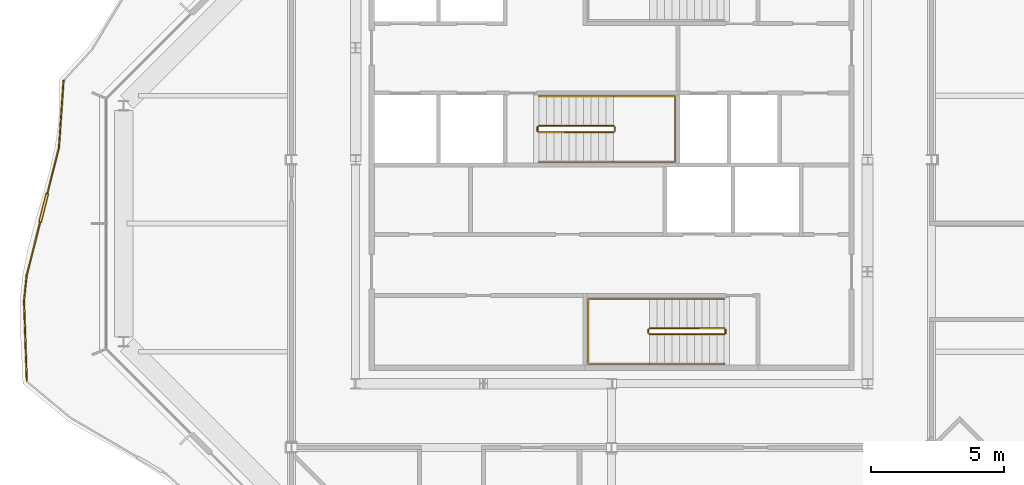
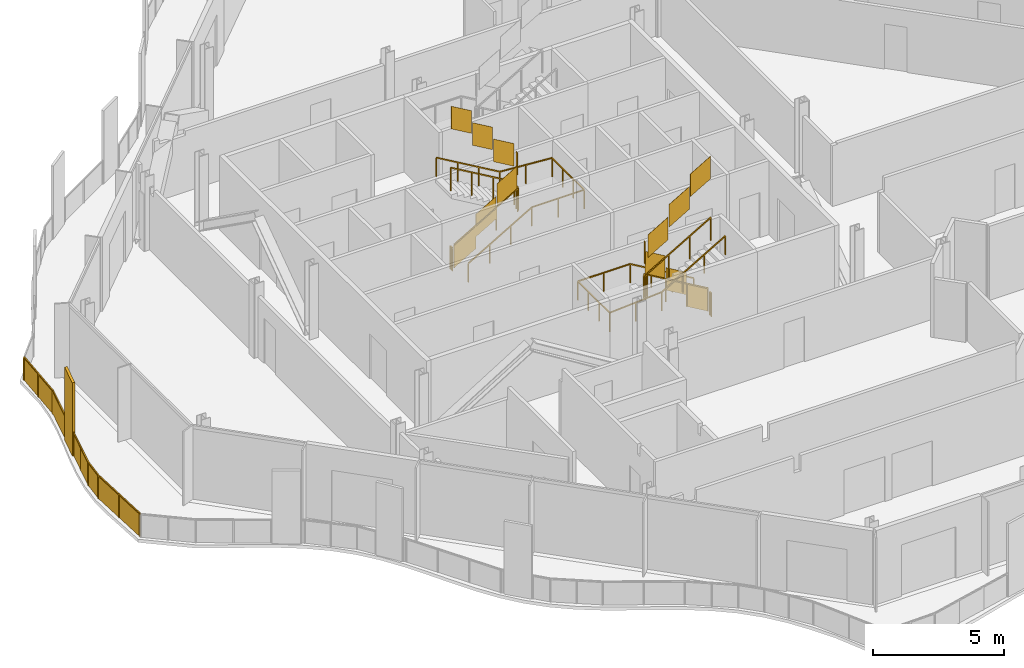
# One storey, part 13 of 16: 7 railings.
"""IFC4 building model written with IfcOpenShell, lengths in metres."""

from ifc_helpers import new_model, si_unit, direction, frame, origin, origin_2d, place, context, subcontext, project, spatial, polyline, rectangle, outline, extrude, material, type_object, element, save


model = new_model("IFC4")

# Units and contexts
model_context = context("Model", 3, precision=1e-05, world=origin(), true_north=direction((0.0, 1.0)))
body_context = subcontext(model_context, "Body", "Model", "MODEL_VIEW")
ifc_project = project(units=[si_unit("LENGTHUNIT", "METRE"), si_unit("AREAUNIT", "SQUARE_METRE"), si_unit("VOLUMEUNIT", "CUBIC_METRE"), si_unit("PLANEANGLEUNIT", "RADIAN"), si_unit("MASSUNIT", "GRAM", prefix="KILO")], contexts=[model_context])

# Site, building, storey
site_placement = place(None, origin())
site = spatial("IfcSite", under=ifc_project, at=site_placement, CompositionType="ELEMENT")
building_placement = place(site_placement, origin())
building = spatial("IfcBuilding", under=site, at=building_placement, Name="Cairn Pilgrim Tower", CompositionType="ELEMENT")
storey_placement = place(building_placement, frame((0.0, 0.0, 288.60009765625)))
storey = spatial("IfcBuildingStorey", under=building, at=storey_placement, Name="L74", CompositionType="ELEMENT", Elevation=288.60009765625)

# Railings
ifc_material_1 = material(Name="Bronze anodised aluminium rail, posts and fin screens with laminated glass infill", Category="aluminium")
railing_type_1 = type_object("IfcRailingType", Name="BALCONY GUARD WITH FIN SCREENS", PredefinedType="GUARDRAIL", material=ifc_material_1)
railing_1_placement = place(storey_placement, frame((-13.35498046875, 5.359375, 0.0)))
element("IfcRailing", 1, at=railing_1_placement, inside=storey, type_object=railing_type_1, Name="Balcony guard BGF-7 with fin screens", PredefinedType="GUARDRAIL", context=body_context, shape_type="SweptSolid", body=[
    extrude(rectangle(XDim=0.050048828125, YDim=0.050048828125, at=origin_2d()), frame((0.0, 0.0, 1.0751953125), z_axis=(-0.068508192538, -0.997650553829, 0.0), x_axis=(0.997650553829, -0.068508192538, 0.0)), (0.0, 0.0, 1.0), 2.5087890625),
    extrude(rectangle(XDim=1.10009765625, YDim=0.110107421875, at=origin_2d()), frame((-0.742919921875, -4.76708984375, 0.0), z_axis=(0.0, 0.0, 1.0), x_axis=(-0.244529925851, -0.969641745885, 0.0)), (0.0, 0.0, 1.0), 3.39990234375),
    extrude(rectangle(XDim=0.050048828125, YDim=0.050048828125, at=origin_2d()), frame((-0.171875, -2.5029296875, 1.0751953125), z_axis=(-0.244529925851, -0.969641745885, 0.0), x_axis=(0.969641745885, -0.244529925851, 0.0)), (0.0, 0.0, 1.0), 1.78515625),
    extrude(rectangle(XDim=0.050048828125, YDim=0.050048828125, at=origin_2d()), frame((-0.87744140625, -5.300537109375, 1.0751953125), z_axis=(-0.244529925851, -0.969641745885, 0.0), x_axis=(0.969641745885, -0.244529925851, 0.0)), (0.0, 0.0, 1.0), 2.068115234375),
    extrude(rectangle(XDim=0.050048828125, YDim=0.050048828125, at=origin_2d()), frame((-1.383056640625, -7.3056640625, 1.0751953125), z_axis=(-0.105236613319, -0.994447210875, 0.0), x_axis=(0.994447210875, -0.105236613319, 0.0)), (0.0, 0.0, 1.0), 0.944091796875),
    extrude(rectangle(XDim=0.050048828125, YDim=0.050048828125, at=origin_2d()), frame((-1.482421875, -8.24462890625, 1.0751953125), z_axis=(0.034442504799, -0.999406680918, 0.0), x_axis=(0.999406680918, 0.034442504799, 0.0)), (0.0, 0.0, 1.0), 2.97705078125),
    extrude(rectangle(XDim=0.050048828125, YDim=0.050048828125, at=origin_2d()), origin(), (0.0, 0.0, 1.0), 1.050048828125),
    extrude(rectangle(XDim=0.050048828125, YDim=0.050048828125, at=origin_2d()), frame((-0.0859375, -1.25146484375, 0.0)), (0.0, 0.0, 1.0), 1.050048828125),
    extrude(rectangle(XDim=0.050048828125, YDim=0.050048828125, at=origin_2d()), frame((-0.171875, -2.5029296875, 0.0)), (0.0, 0.0, 1.0), 1.050048828125),
    extrude(rectangle(XDim=0.050048828125, YDim=0.050048828125, at=origin_2d()), frame((-0.602294921875, -4.20947265625, 0.0)), (0.0, 0.0, 1.0), 1.050048828125),
    extrude(rectangle(XDim=0.050048828125, YDim=0.050048828125, at=origin_2d()), frame((-0.883544921875, -5.32470703125, 0.0)), (0.0, 0.0, 1.0), 1.050048828125),
    extrude(rectangle(XDim=0.050048828125, YDim=0.050048828125, at=origin_2d()), frame((-1.13330078125, -6.315185546875, 0.0)), (0.0, 0.0, 1.0), 1.050048828125),
    extrude(rectangle(XDim=0.050048828125, YDim=0.050048828125, at=origin_2d()), frame((-1.383056640625, -7.3056640625, 0.0)), (0.0, 0.0, 1.0), 1.050048828125),
    extrude(rectangle(XDim=0.050048828125, YDim=0.050048828125, at=origin_2d()), frame((-1.482421875, -8.24462890625, 0.0)), (0.0, 0.0, 1.0), 1.050048828125),
    extrude(rectangle(XDim=0.050048828125, YDim=0.050048828125, at=origin_2d()), frame((-1.43115234375, -9.732421875, 0.0)), (0.0, 0.0, 1.0), 1.050048828125),
    extrude(rectangle(XDim=0.050048828125, YDim=0.050048828125, at=origin_2d()), frame((-1.3798828125, -11.219970703125, 0.0)), (0.0, 0.0, 1.0), 1.050048828125),
    extrude(outline(polyline([(0.02490234375, 0.0), (1.2294921875, 0.0), (1.2294921875, 1.050048828125), (0.02490234375, 1.050048828125), (0.02490234375, 0.0)])), frame((0.005859375, -0.00048828125, 0.0), z_axis=(-0.997650553829, 0.068508192538, 0.0), x_axis=(-0.068508192538, -0.997650553829, 0.0)), (0.0, 0.0, 1.0), 0.011962890625),
    extrude(outline(polyline([(0.02490234375, 0.0), (1.2294921875, 0.0), (1.2294921875, 1.050048828125), (0.02490234375, 1.050048828125), (0.02490234375, 0.0)])), frame((-0.080078125, -1.251953125, 0.0), z_axis=(-0.997650553829, 0.068508192538, 0.0), x_axis=(-0.068508192538, -0.997650553829, 0.0)), (0.0, 0.0, 1.0), 0.011962890625),
    extrude(outline(polyline([(0.02490234375, 0.0), (1.735107421875, 0.0), (1.735107421875, 1.050048828125), (0.02490234375, 1.050048828125), (0.02490234375, 0.0)])), frame((-0.166015625, -2.50439453125, 0.0), z_axis=(-0.969641745885, 0.244529925851, 0.0), x_axis=(-0.244529925851, -0.969641745885, 0.0)), (0.0, 0.0, 1.0), 0.011962890625),
    extrude(outline(polyline([(0.02490234375, 0.0), (0.99658203125, 0.0), (0.99658203125, 1.050048828125), (0.02490234375, 1.050048828125), (0.02490234375, 0.0)])), frame((-0.877685546875, -5.326171875, 0.0), z_axis=(-0.969641745885, 0.244529925851, 0.0), x_axis=(-0.244529925851, -0.969641745885, 0.0)), (0.0, 0.0, 1.0), 0.011962890625),
    extrude(outline(polyline([(0.02490234375, 0.0), (0.99658203125, 0.0), (0.99658203125, 1.050048828125), (0.02490234375, 1.050048828125), (0.02490234375, 0.0)])), frame((-1.12744140625, -6.316650390625, 0.0), z_axis=(-0.969641745885, 0.244529925851, 0.0), x_axis=(-0.244529925851, -0.969641745885, 0.0)), (0.0, 0.0, 1.0), 0.011962890625),
    extrude(outline(polyline([(0.02490234375, 0.0), (0.919189453125, 0.0), (0.919189453125, 1.050048828125), (0.02490234375, 1.050048828125), (0.02490234375, 0.0)])), frame((-1.377197265625, -7.306396484375, 0.0), z_axis=(-0.994447210875, 0.105236613319, 0.0), x_axis=(-0.105236613319, -0.994447210875, 0.0)), (0.0, 0.0, 1.0), 0.011962890625),
    extrude(outline(polyline([(0.02490234375, 0.0), (1.463623046875, 0.0), (1.463623046875, 1.050048828125), (0.02490234375, 1.050048828125), (0.02490234375, 0.0)])), frame((-1.4765625, -8.244384765625, 0.0), z_axis=(-0.999406680918, -0.034442504799, 0.0), x_axis=(0.034442504799, -0.999406680918, 0.0)), (0.0, 0.0, 1.0), 0.011962890625),
    extrude(outline(polyline([(0.02490234375, 0.0), (1.463623046875, 0.0), (1.463623046875, 1.050048828125), (0.02490234375, 1.050048828125), (0.02490234375, 0.0)])), frame((-1.42529296875, -9.732177734375, 0.0), z_axis=(-0.999406680918, -0.034442504799, 0.0), x_axis=(0.034442504799, -0.999406680918, 0.0)), (0.0, 0.0, 1.0), 0.011962890625),
])
ifc_material_2 = material(Name="Painted steel", Category="steel")
railing_type_2 = type_object("IfcRailingType", Name="STAIR GUARD 1100", PredefinedType="GUARDRAIL", material=ifc_material_2)
railing_2_placement = place(storey_placement, frame((11.425048828125, -3.925048828125, 0.16357421875)))
element("IfcRailing", 2, at=railing_2_placement, inside=storey, type_object=railing_type_2, Name="L74 ST-A stair guard 1", PredefinedType="GUARDRAIL", context=body_context, shape_type="SweptSolid", body=[
    extrude(rectangle(XDim=0.048095703125, YDim=0.048095703125, at=origin_2d()), frame((0.0, 0.0, 1.076171875), z_axis=(-0.863393664356, 0.0, 0.504530851732), x_axis=(0.0, -1.0, 0.0)), (0.0, 0.0, 1.0), 3.2431640625),
    extrude(rectangle(XDim=0.048095703125, YDim=0.048095703125, at=origin_2d()), frame((-2.800048828125, 0.0, 2.71240234375), z_axis=(-0.707106781187, -0.707106781187, 0.0), x_axis=(0.707106781187, -0.707106781187, 0.0)), (0.0, 0.0, 1.0), 0.07080078125),
    extrude(rectangle(XDim=0.048095703125, YDim=0.048095703125, at=origin_2d()), frame((-2.85009765625, -0.050048828125, 2.71240234375), z_axis=(0.0, -1.0, 0.0), x_axis=(1.0, 0.0, 0.0)), (0.0, 0.0, 1.0), 0.125),
    extrude(rectangle(XDim=0.048095703125, YDim=0.048095703125, at=origin_2d()), frame((-2.85009765625, -0.175048828125, 2.71240234375), z_axis=(0.280563532951, -0.279194930351, 0.91833234444), x_axis=(0.705375805398, 0.708833529934, 0.0)), (0.0, 0.0, 1.0), 0.178466796875),
    extrude(rectangle(XDim=0.048095703125, YDim=0.048095703125, at=origin_2d()), frame((-2.800048828125, -0.224853515625, 2.8759765625), z_axis=(0.863393664356, 0.0, 0.504530851732), x_axis=(0.0, 1.0, 0.0)), (0.0, 0.0, 1.0), 3.2431640625),
    extrude(rectangle(XDim=0.0419921875, YDim=0.0419921875, at=origin_2d()), origin(), (0.0, 0.0, 1.0), 1.052001953125),
    extrude(rectangle(XDim=0.0419921875, YDim=0.0419921875, at=origin_2d()), frame((-0.933349609375, 0.0, 0.54541015625)), (0.0, 0.0, 1.0), 1.052001953125),
    extrude(rectangle(XDim=0.0419921875, YDim=0.0419921875, at=origin_2d()), frame((-1.86669921875, 0.0, 1.0908203125)), (0.0, 0.0, 1.0), 1.052001953125),
    extrude(rectangle(XDim=0.0419921875, YDim=0.0419921875, at=origin_2d()), frame((-2.800048828125, 0.0, 1.63623046875)), (0.0, 0.0, 1.0), 1.052001953125),
    extrude(rectangle(XDim=0.0419921875, YDim=0.0419921875, at=origin_2d()), frame((-2.85009765625, -0.050048828125, 1.63623046875)), (0.0, 0.0, 1.0), 1.052001953125),
    extrude(rectangle(XDim=0.0419921875, YDim=0.0419921875, at=origin_2d()), frame((-2.85009765625, -0.175048828125, 1.63623046875)), (0.0, 0.0, 1.0), 1.052001953125),
    extrude(rectangle(XDim=0.0419921875, YDim=0.0419921875, at=origin_2d()), frame((-2.800048828125, -0.224853515625, 1.800048828125)), (0.0, 0.0, 1.0), 1.052001953125),
    extrude(rectangle(XDim=0.0419921875, YDim=0.0419921875, at=origin_2d()), frame((-1.86669921875, -0.224853515625, 2.345458984375)), (0.0, 0.0, 1.0), 1.052001953125),
    extrude(rectangle(XDim=0.0419921875, YDim=0.0419921875, at=origin_2d()), frame((-0.933349609375, -0.224853515625, 2.890869140625)), (0.0, 0.0, 1.0), 1.052001953125),
    extrude(rectangle(XDim=0.0419921875, YDim=0.0419921875, at=origin_2d()), frame((0.0, -0.224853515625, 3.436279296875)), (0.0, 0.0, 1.0), 1.052001953125),
    extrude(outline(polyline([(0.02099609375, 0.01220703125), (0.912353515625, 0.533203125), (0.912353515625, 1.585205078125), (0.02099609375, 1.064208984375), (0.02099609375, 0.01220703125)])), frame((0.0, -0.005859375, 0.0), z_axis=(0.0, 1.0, 0.0), x_axis=(-1.0, 0.0, 0.0)), (0.0, 0.0, 1.0), 0.011962890625),
    extrude(outline(polyline([(0.02099609375, 0.5576171875), (0.912353515625, 1.07861328125), (0.912353515625, 2.130615234375), (0.02099609375, 1.609619140625), (0.02099609375, 0.5576171875)])), frame((-0.933349609375, -0.005859375, 0.54541015625), z_axis=(0.0, 1.0, 0.0), x_axis=(-1.0, 0.0, 0.0)), (0.0, 0.0, 1.0), 0.011962890625),
    extrude(outline(polyline([(0.02099609375, 1.10302734375), (0.912353515625, 1.6240234375), (0.912353515625, 2.676025390625), (0.02099609375, 2.155029296875), (0.02099609375, 1.10302734375)])), frame((-1.86669921875, -0.005859375, 1.0908203125), z_axis=(0.0, 1.0, 0.0), x_axis=(-1.0, 0.0, 0.0)), (0.0, 0.0, 1.0), 0.011962890625),
    extrude(outline(polyline([(0.02099609375, 1.63623046875), (0.10400390625, 1.63623046875), (0.10400390625, 2.688232421875), (0.02099609375, 2.688232421875), (0.02099609375, 1.63623046875)])), frame((-2.84423828125, -0.050048828125, 1.63623046875), z_axis=(-1.0, 0.0, 0.0), x_axis=(0.0, -1.0, 0.0)), (0.0, 0.0, 1.0), 0.011962890625),
    extrude(outline(polyline([(0.02099609375, 1.812255859375), (0.912353515625, 2.333251953125), (0.912353515625, 3.38525390625), (0.02099609375, 2.8642578125), (0.02099609375, 1.812255859375)])), frame((-2.800048828125, -0.21875, 1.800048828125), z_axis=(0.0, -1.0, 0.0), x_axis=(1.0, 0.0, 0.0)), (0.0, 0.0, 1.0), 0.011962890625),
    extrude(outline(polyline([(0.02099609375, 2.357666015625), (0.912353515625, 2.878662109375), (0.912353515625, 3.9306640625), (0.02099609375, 3.40966796875), (0.02099609375, 2.357666015625)])), frame((-1.86669921875, -0.21875, 2.345458984375), z_axis=(0.0, -1.0, 0.0), x_axis=(1.0, 0.0, 0.0)), (0.0, 0.0, 1.0), 0.011962890625),
    extrude(outline(polyline([(0.02099609375, 2.903076171875), (0.912353515625, 3.424072265625), (0.912353515625, 4.47607421875), (0.02099609375, 3.955078125), (0.02099609375, 2.903076171875)])), frame((-0.933349609375, -0.21875, 2.890869140625), z_axis=(0.0, -1.0, 0.0), x_axis=(1.0, 0.0, 0.0)), (0.0, 0.0, 1.0), 0.011962890625),
])
railing_3_placement = place(storey_placement, frame((11.47509765625, -3.97509765625, 0.0)))
element("IfcRailing", 3, at=railing_3_placement, inside=storey, type_object=railing_type_2, Name="L74 ST-A stair guard 2", PredefinedType="GUARDRAIL", context=body_context, shape_type="SweptSolid", body=[
    extrude(rectangle(XDim=0.048095703125, YDim=0.048095703125, at=origin_2d()), frame((0.0, 0.0, 1.076171875), z_axis=(0.0, -1.0, 0.0), x_axis=(1.0, 0.0, 0.0)), (0.0, 0.0, 1.0), 0.125),
    extrude(rectangle(XDim=0.0419921875, YDim=0.0419921875, at=origin_2d()), origin(), (0.0, 0.0, 1.0), 1.052001953125),
    extrude(rectangle(XDim=0.0419921875, YDim=0.0419921875, at=origin_2d()), frame((0.0, -0.125, 0.0)), (0.0, 0.0, 1.0), 1.052001953125),
    extrude(outline(polyline([(0.02099609375, 0.0), (0.10400390625, 0.0), (0.10400390625, 1.052001953125), (0.02099609375, 1.052001953125), (0.02099609375, 0.0)])), frame((0.005859375, 0.0, 0.0), z_axis=(-1.0, 0.0, 0.0), x_axis=(0.0, -1.0, 0.0)), (0.0, 0.0, 1.0), 0.011962890625),
])
railing_4_placement = place(storey_placement, frame((4.47509765625, 3.425048828125, 0.16357421875)))
element("IfcRailing", 4, at=railing_4_placement, inside=storey, type_object=railing_type_2, Name="L74 ST-B stair guard 1", PredefinedType="GUARDRAIL", context=body_context, shape_type="SweptSolid", body=[
    extrude(rectangle(XDim=0.048095703125, YDim=0.048095703125, at=origin_2d()), frame((0.0, 0.0, 1.076171875), z_axis=(0.863374499697, 0.0, 0.504563646405), x_axis=(0.0, 1.0, 0.0)), (0.0, 0.0, 1.0), 3.242919921875),
    extrude(rectangle(XDim=0.048095703125, YDim=0.048095703125, at=origin_2d()), frame((2.7998046875, 0.0, 2.71240234375), z_axis=(0.707106781187, 0.707106781187, 0.0), x_axis=(-0.707106781187, 0.707106781187, 0.0)), (0.0, 0.0, 1.0), 0.07080078125),
    extrude(rectangle(XDim=0.048095703125, YDim=0.048095703125, at=origin_2d()), frame((2.849853515625, 0.050048828125, 2.71240234375), z_axis=(0.0, 1.0, 0.0), x_axis=(-1.0, 0.0, 0.0)), (0.0, 0.0, 1.0), 0.14990234375),
    extrude(rectangle(XDim=0.048095703125, YDim=0.048095703125, at=origin_2d()), frame((2.849853515625, 0.199951171875, 2.71240234375), z_axis=(-0.280456126637, 0.280456126637, 0.917980785237), x_axis=(-0.707106781187, -0.707106781187, 0.0)), (0.0, 0.0, 1.0), 0.178466796875),
    extrude(rectangle(XDim=0.048095703125, YDim=0.048095703125, at=origin_2d()), frame((2.7998046875, 0.25, 2.8759765625), z_axis=(-0.863374499697, 0.0, 0.504563646405), x_axis=(0.0, -1.0, 0.0)), (0.0, 0.0, 1.0), 3.242919921875),
    extrude(rectangle(XDim=0.0419921875, YDim=0.0419921875, at=origin_2d()), origin(), (0.0, 0.0, 1.0), 1.052001953125),
    extrude(rectangle(XDim=0.0419921875, YDim=0.0419921875, at=origin_2d()), frame((0.933349609375, 0.0, 0.54541015625)), (0.0, 0.0, 1.0), 1.052001953125),
    extrude(rectangle(XDim=0.0419921875, YDim=0.0419921875, at=origin_2d()), frame((1.866455078125, 0.0, 1.0908203125)), (0.0, 0.0, 1.0), 1.052001953125),
    extrude(rectangle(XDim=0.0419921875, YDim=0.0419921875, at=origin_2d()), frame((2.7998046875, 0.0, 1.63623046875)), (0.0, 0.0, 1.0), 1.052001953125),
    extrude(rectangle(XDim=0.0419921875, YDim=0.0419921875, at=origin_2d()), frame((2.849853515625, 0.050048828125, 1.63623046875)), (0.0, 0.0, 1.0), 1.052001953125),
    extrude(rectangle(XDim=0.0419921875, YDim=0.0419921875, at=origin_2d()), frame((2.849853515625, 0.199951171875, 1.63623046875)), (0.0, 0.0, 1.0), 1.052001953125),
    extrude(rectangle(XDim=0.0419921875, YDim=0.0419921875, at=origin_2d()), frame((2.7998046875, 0.25, 1.800048828125)), (0.0, 0.0, 1.0), 1.052001953125),
    extrude(rectangle(XDim=0.0419921875, YDim=0.0419921875, at=origin_2d()), frame((1.866455078125, 0.25, 2.345458984375)), (0.0, 0.0, 1.0), 1.052001953125),
    extrude(rectangle(XDim=0.0419921875, YDim=0.0419921875, at=origin_2d()), frame((0.933349609375, 0.25, 2.890869140625)), (0.0, 0.0, 1.0), 1.052001953125),
    extrude(rectangle(XDim=0.0419921875, YDim=0.0419921875, at=origin_2d()), frame((0.0, 0.25, 3.436279296875)), (0.0, 0.0, 1.0), 1.052001953125),
    extrude(outline(polyline([(0.02099609375, 0.01220703125), (0.912353515625, 0.533203125), (0.912353515625, 1.585205078125), (0.02099609375, 1.064208984375), (0.02099609375, 0.01220703125)])), frame((0.0, 0.005859375, 0.0), z_axis=(0.0, -1.0, 0.0), x_axis=(1.0, 0.0, 0.0)), (0.0, 0.0, 1.0), 0.011962890625),
    extrude(outline(polyline([(0.02099609375, 0.5576171875), (0.912353515625, 1.07861328125), (0.912353515625, 2.130615234375), (0.02099609375, 1.609619140625), (0.02099609375, 0.5576171875)])), frame((0.933349609375, 0.005859375, 0.54541015625), z_axis=(0.0, -1.0, 0.0), x_axis=(1.0, 0.0, 0.0)), (0.0, 0.0, 1.0), 0.011962890625),
    extrude(outline(polyline([(0.02099609375, 1.10302734375), (0.912353515625, 1.6240234375), (0.912353515625, 2.676025390625), (0.02099609375, 2.155029296875), (0.02099609375, 1.10302734375)])), frame((1.866455078125, 0.005859375, 1.0908203125), z_axis=(0.0, -1.0, 0.0), x_axis=(1.0, 0.0, 0.0)), (0.0, 0.0, 1.0), 0.011962890625),
    extrude(outline(polyline([(0.02099609375, 1.63623046875), (0.12890625, 1.63623046875), (0.12890625, 2.688232421875), (0.02099609375, 2.688232421875), (0.02099609375, 1.63623046875)])), frame((2.84375, 0.050048828125, 1.63623046875), z_axis=(1.0, 0.0, 0.0), x_axis=(0.0, 1.0, 0.0)), (0.0, 0.0, 1.0), 0.011962890625),
    extrude(outline(polyline([(0.02099609375, 1.812255859375), (0.912353515625, 2.333251953125), (0.912353515625, 3.38525390625), (0.02099609375, 2.8642578125), (0.02099609375, 1.812255859375)])), frame((2.7998046875, 0.244140625, 1.800048828125), z_axis=(0.0, 1.0, 0.0), x_axis=(-1.0, 0.0, 0.0)), (0.0, 0.0, 1.0), 0.011962890625),
    extrude(outline(polyline([(0.02099609375, 2.357666015625), (0.912353515625, 2.878662109375), (0.912353515625, 3.9306640625), (0.02099609375, 3.40966796875), (0.02099609375, 2.357666015625)])), frame((1.866455078125, 0.244140625, 2.345458984375), z_axis=(0.0, 1.0, 0.0), x_axis=(-1.0, 0.0, 0.0)), (0.0, 0.0, 1.0), 0.011962890625),
    extrude(outline(polyline([(0.02099609375, 2.903076171875), (0.912353515625, 3.424072265625), (0.912353515625, 4.47607421875), (0.02099609375, 3.955078125), (0.02099609375, 2.903076171875)])), frame((0.933349609375, 0.244140625, 2.890869140625), z_axis=(0.0, 1.0, 0.0), x_axis=(-1.0, 0.0, 0.0)), (0.0, 0.0, 1.0), 0.011962890625),
])
railing_5_placement = place(storey_placement, frame((4.425048828125, 3.47509765625, 0.0)))
element("IfcRailing", 5, at=railing_5_placement, inside=storey, type_object=railing_type_2, Name="L74 ST-B stair guard 2", PredefinedType="GUARDRAIL", context=body_context, shape_type="SweptSolid", body=[
    extrude(rectangle(XDim=0.048095703125, YDim=0.048095703125, at=origin_2d()), frame((0.0, 0.0, 1.076171875), z_axis=(0.0, 1.0, 0.0), x_axis=(-1.0, 0.0, 0.0)), (0.0, 0.0, 1.0), 0.14990234375),
    extrude(rectangle(XDim=0.0419921875, YDim=0.0419921875, at=origin_2d()), origin(), (0.0, 0.0, 1.0), 1.052001953125),
    extrude(rectangle(XDim=0.0419921875, YDim=0.0419921875, at=origin_2d()), frame((0.0, 0.14990234375, 0.0)), (0.0, 0.0, 1.0), 1.052001953125),
    extrude(outline(polyline([(0.02099609375, 0.0), (0.12890625, 0.0), (0.12890625, 1.052001953125), (0.02099609375, 1.052001953125), (0.02099609375, 0.0)])), frame((-0.005859375, 0.0, 0.0), z_axis=(1.0, 0.0, 0.0), x_axis=(0.0, 1.0, 0.0)), (0.0, 0.0, 1.0), 0.011962890625),
])
railing_type_3 = type_object("IfcRailingType", Name="STAIR HANDRAIL 900", PredefinedType="HANDRAIL", material=ifc_material_2)
railing_6_placement = place(storey_placement, frame((11.425048828125, -2.824951171875, 0.16357421875)))
element("IfcRailing", 6, at=railing_6_placement, inside=storey, type_object=railing_type_3, Name="L74 ST-A stair handrail 1", PredefinedType="HANDRAIL", context=body_context, shape_type="SweptSolid", body=[
    extrude(rectangle(XDim=0.048095703125, YDim=0.048095703125, at=origin_2d()), frame((0.0, 0.0, 0.8759765625), z_axis=(-0.863393664356, 0.0, 0.504530851732), x_axis=(0.0, -1.0, 0.0)), (0.0, 0.0, 1.0), 3.2431640625),
    extrude(rectangle(XDim=0.048095703125, YDim=0.048095703125, at=origin_2d()), frame((-2.800048828125, 0.0, 2.51220703125), z_axis=(-1.0, 0.0, 0.0), x_axis=(0.0, -1.0, 0.0)), (0.0, 0.0, 1.0), 2.300048828125),
    extrude(rectangle(XDim=0.048095703125, YDim=0.048095703125, at=origin_2d()), frame((-5.10009765625, 0.0, 2.51220703125), z_axis=(0.0, -1.0, 0.0), x_axis=(1.0, 0.0, 0.0)), (0.0, 0.0, 1.0), 2.425048828125),
    extrude(rectangle(XDim=0.048095703125, YDim=0.048095703125, at=origin_2d()), frame((-5.10009765625, -2.425048828125, 2.51220703125), z_axis=(0.99747319029, 0.0, 0.071043892441), x_axis=(0.0, 1.0, 0.0)), (0.0, 0.0, 1.0), 2.305908203125),
    extrude(rectangle(XDim=0.048095703125, YDim=0.048095703125, at=origin_2d()), frame((-2.800048828125, -2.425048828125, 2.67578125), z_axis=(0.863393664356, 0.0, 0.504530851732), x_axis=(0.0, 1.0, 0.0)), (0.0, 0.0, 1.0), 3.2431640625),
    extrude(rectangle(XDim=0.0419921875, YDim=0.0419921875, at=origin_2d()), origin(), (0.0, 0.0, 1.0), 0.851806640625),
    extrude(rectangle(XDim=0.0419921875, YDim=0.0419921875, at=origin_2d()), frame((-0.933349609375, 0.0, 0.54541015625)), (0.0, 0.0, 1.0), 0.851806640625),
    extrude(rectangle(XDim=0.0419921875, YDim=0.0419921875, at=origin_2d()), frame((-1.86669921875, 0.0, 1.0908203125)), (0.0, 0.0, 1.0), 0.851806640625),
    extrude(rectangle(XDim=0.0419921875, YDim=0.0419921875, at=origin_2d()), frame((-2.800048828125, 0.0, 1.63623046875)), (0.0, 0.0, 1.0), 0.851806640625),
    extrude(rectangle(XDim=0.0419921875, YDim=0.0419921875, at=origin_2d()), frame((-3.9501953125, 0.0, 1.63623046875)), (0.0, 0.0, 1.0), 0.851806640625),
    extrude(rectangle(XDim=0.0419921875, YDim=0.0419921875, at=origin_2d()), frame((-5.10009765625, 0.0, 1.63623046875)), (0.0, 0.0, 1.0), 0.851806640625),
    extrude(rectangle(XDim=0.0419921875, YDim=0.0419921875, at=origin_2d()), frame((-5.10009765625, -0.808349609375, 1.63623046875)), (0.0, 0.0, 1.0), 0.851806640625),
    extrude(rectangle(XDim=0.0419921875, YDim=0.0419921875, at=origin_2d()), frame((-5.10009765625, -1.61669921875, 1.63623046875)), (0.0, 0.0, 1.0), 0.851806640625),
    extrude(rectangle(XDim=0.0419921875, YDim=0.0419921875, at=origin_2d()), frame((-5.10009765625, -2.425048828125, 1.63623046875)), (0.0, 0.0, 1.0), 0.851806640625),
    extrude(rectangle(XDim=0.0419921875, YDim=0.0419921875, at=origin_2d()), frame((-3.9501953125, -2.425048828125, 1.71826171875)), (0.0, 0.0, 1.0), 0.851806640625),
    extrude(rectangle(XDim=0.0419921875, YDim=0.0419921875, at=origin_2d()), frame((-2.800048828125, -2.425048828125, 1.800048828125)), (0.0, 0.0, 1.0), 0.851806640625),
    extrude(rectangle(XDim=0.0419921875, YDim=0.0419921875, at=origin_2d()), frame((-1.86669921875, -2.425048828125, 2.345458984375)), (0.0, 0.0, 1.0), 0.851806640625),
    extrude(rectangle(XDim=0.0419921875, YDim=0.0419921875, at=origin_2d()), frame((-0.933349609375, -2.425048828125, 2.890869140625)), (0.0, 0.0, 1.0), 0.851806640625),
    extrude(rectangle(XDim=0.0419921875, YDim=0.0419921875, at=origin_2d()), frame((0.0, -2.425048828125, 3.436279296875)), (0.0, 0.0, 1.0), 0.851806640625),
])
railing_7_placement = place(storey_placement, frame((4.47509765625, 2.324951171875, 0.16357421875)))
element("IfcRailing", 7, at=railing_7_placement, inside=storey, type_object=railing_type_3, Name="L74 ST-B stair handrail 1", PredefinedType="HANDRAIL", context=body_context, shape_type="SweptSolid", body=[
    extrude(rectangle(XDim=0.048095703125, YDim=0.048095703125, at=origin_2d()), frame((0.0, 0.0, 0.8759765625), z_axis=(0.863374499697, 0.0, 0.504563646405), x_axis=(0.0, 1.0, 0.0)), (0.0, 0.0, 1.0), 3.242919921875),
    extrude(rectangle(XDim=0.048095703125, YDim=0.048095703125, at=origin_2d()), frame((2.7998046875, 0.0, 2.51220703125), z_axis=(1.0, 0.0, 0.0), x_axis=(0.0, 1.0, 0.0)), (0.0, 0.0, 1.0), 2.300048828125),
    extrude(rectangle(XDim=0.048095703125, YDim=0.048095703125, at=origin_2d()), frame((5.099853515625, 0.0, 2.51220703125), z_axis=(0.0, 1.0, 0.0), x_axis=(-1.0, 0.0, 0.0)), (0.0, 0.0, 1.0), 2.449951171875),
    extrude(rectangle(XDim=0.048095703125, YDim=0.048095703125, at=origin_2d()), frame((5.099853515625, 2.449951171875, 2.51220703125), z_axis=(-0.99747319029, 0.0, 0.071043892441), x_axis=(0.0, -1.0, 0.0)), (0.0, 0.0, 1.0), 2.305908203125),
    extrude(rectangle(XDim=0.048095703125, YDim=0.048095703125, at=origin_2d()), frame((2.7998046875, 2.449951171875, 2.67578125), z_axis=(-0.863374499697, 0.0, 0.504563646405), x_axis=(0.0, -1.0, 0.0)), (0.0, 0.0, 1.0), 3.242919921875),
    extrude(rectangle(XDim=0.0419921875, YDim=0.0419921875, at=origin_2d()), origin(), (0.0, 0.0, 1.0), 0.851806640625),
    extrude(rectangle(XDim=0.0419921875, YDim=0.0419921875, at=origin_2d()), frame((0.933349609375, 0.0, 0.54541015625)), (0.0, 0.0, 1.0), 0.851806640625),
    extrude(rectangle(XDim=0.0419921875, YDim=0.0419921875, at=origin_2d()), frame((1.866455078125, 0.0, 1.0908203125)), (0.0, 0.0, 1.0), 0.851806640625),
    extrude(rectangle(XDim=0.0419921875, YDim=0.0419921875, at=origin_2d()), frame((2.7998046875, 0.0, 1.63623046875)), (0.0, 0.0, 1.0), 0.851806640625),
    extrude(rectangle(XDim=0.0419921875, YDim=0.0419921875, at=origin_2d()), frame((3.94970703125, 0.0, 1.63623046875)), (0.0, 0.0, 1.0), 0.851806640625),
    extrude(rectangle(XDim=0.0419921875, YDim=0.0419921875, at=origin_2d()), frame((5.099853515625, 0.0, 1.63623046875)), (0.0, 0.0, 1.0), 0.851806640625),
    extrude(rectangle(XDim=0.0419921875, YDim=0.0419921875, at=origin_2d()), frame((5.099853515625, 0.816650390625, 1.63623046875)), (0.0, 0.0, 1.0), 0.851806640625),
    extrude(rectangle(XDim=0.0419921875, YDim=0.0419921875, at=origin_2d()), frame((5.099853515625, 1.63330078125, 1.63623046875)), (0.0, 0.0, 1.0), 0.851806640625),
    extrude(rectangle(XDim=0.0419921875, YDim=0.0419921875, at=origin_2d()), frame((5.099853515625, 2.449951171875, 1.63623046875)), (0.0, 0.0, 1.0), 0.851806640625),
    extrude(rectangle(XDim=0.0419921875, YDim=0.0419921875, at=origin_2d()), frame((3.94970703125, 2.449951171875, 1.71826171875)), (0.0, 0.0, 1.0), 0.851806640625),
    extrude(rectangle(XDim=0.0419921875, YDim=0.0419921875, at=origin_2d()), frame((2.7998046875, 2.449951171875, 1.800048828125)), (0.0, 0.0, 1.0), 0.851806640625),
    extrude(rectangle(XDim=0.0419921875, YDim=0.0419921875, at=origin_2d()), frame((1.866455078125, 2.449951171875, 2.345458984375)), (0.0, 0.0, 1.0), 0.851806640625),
    extrude(rectangle(XDim=0.0419921875, YDim=0.0419921875, at=origin_2d()), frame((0.933349609375, 2.449951171875, 2.890869140625)), (0.0, 0.0, 1.0), 0.851806640625),
    extrude(rectangle(XDim=0.0419921875, YDim=0.0419921875, at=origin_2d()), frame((0.0, 2.449951171875, 3.436279296875)), (0.0, 0.0, 1.0), 0.851806640625),
])

save(model, "model.ifc")
